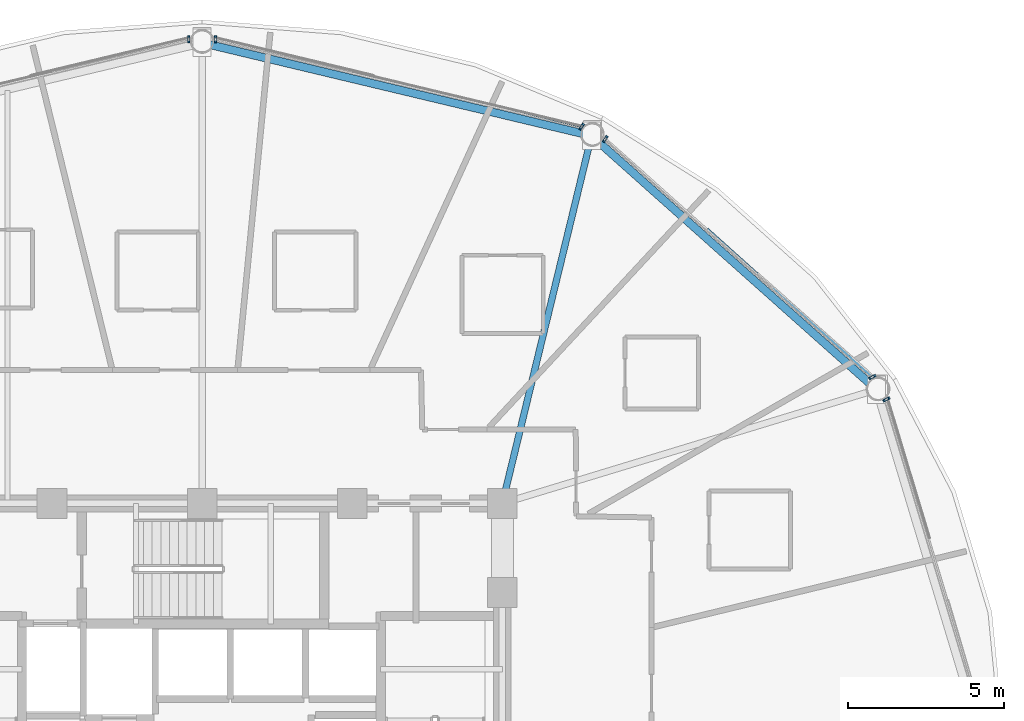
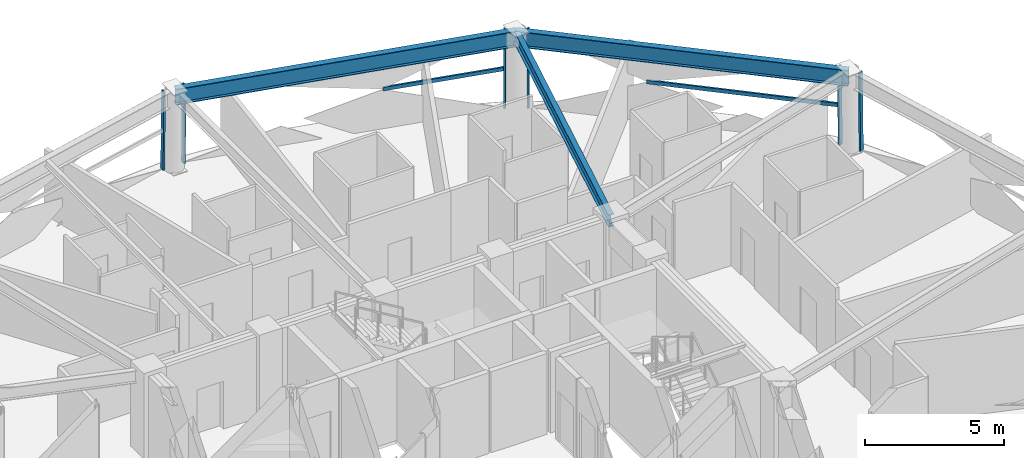
# One storey, part 7 of 18: 8 members, 3 beams, 4 elements without a shape of their own.
"""IFC4 building model written with IfcOpenShell, lengths in metres."""

from ifc_helpers import new_model, si_unit, direction, frame, origin, origin_2d, place, context, subcontext, project, spatial, hollow_rectangle, i_section, extrude, material, layer, layer_set, material_profile, profile_set, type_object, element, aggregate, save


model = new_model("IFC4")

# Units and contexts
model_context = context("Model", 3, precision=1e-05, world=origin(), true_north=direction((0.0, 1.0)))
body_context = subcontext(model_context, "Body", "Model", "MODEL_VIEW")
ifc_project = project(units=[si_unit("LENGTHUNIT", "METRE"), si_unit("AREAUNIT", "SQUARE_METRE"), si_unit("VOLUMEUNIT", "CUBIC_METRE"), si_unit("PLANEANGLEUNIT", "RADIAN"), si_unit("MASSUNIT", "GRAM", prefix="KILO")], contexts=[model_context])

# Site, building, storey
site_placement = place(None, origin())
site = spatial("IfcSite", under=ifc_project, at=site_placement, CompositionType="ELEMENT")
building_placement = place(site_placement, origin())
building = spatial("IfcBuilding", under=site, at=building_placement, Name="Vantalir Tower", CompositionType="ELEMENT")
storey_placement = place(building_placement, frame((0.0, 0.0, 138.449951171875)))
storey = spatial("IfcBuildingStorey", under=building, at=storey_placement, Name="L34", CompositionType="ELEMENT", Elevation=138.449951171875)

# Beams
ifc_material_1 = material(Name="Steel S355", Category="steel")
ifc_material_profile_1 = material_profile(ifc_material_1, i_section(OverallWidth=0.2109375, OverallDepth=0.5390625, WebThickness=0.01171875, FlangeThickness=0.018798828125, at=origin_2d()), Name="Steel S355")
ifc_profile_set_1 = profile_set([ifc_material_profile_1], Name="Steel S355")
beam_type_1 = type_object("IfcBeamType", Name="BM-RB-533x210", PredefinedType="BEAM", material=ifc_profile_set_1)
beam_1_placement = place(storey_placement, frame((43.9541015625, 44.2080078125, 3.301025390625), z_axis=(-0.23587837497, -0.971782584852, 0.0), x_axis=(0.971782584852, -0.23587837497, 0.0)))
element("IfcBeam", 1, at=beam_1_placement, inside=storey, type_object=beam_type_1, Name="L34 Radial Floor Beam 03", PredefinedType="BEAM", context=body_context, shape_type="SweptSolid", body=[
    extrude(i_section(OverallWidth=0.2109375, OverallDepth=0.5390625, WebThickness=0.01171875, FlangeThickness=0.018798828125, at=origin_2d()), origin(), (0.0, 0.0, 1.0), 12.099365234375),
])
ifc_material_2 = material(Name="Steel S460", Category="steel")
ifc_material_profile_2 = material_profile(ifc_material_2, i_section(OverallWidth=0.256103515625, OverallDepth=0.693115234375, WebThickness=0.014404296875, FlangeThickness=0.023681640625, at=origin_2d()), Name="Steel S460")
ifc_profile_set_2 = profile_set([ifc_material_profile_2], Name="Steel S460")
beam_type_2 = type_object("IfcBeamType", Name="BM-RG-686x254", PredefinedType="USERDEFINED", material=ifc_profile_set_2)
beam_2_placement = place(storey_placement, frame((53.070068359375, 36.090087890625, 3.22412109375), z_axis=(-0.746805403466, 0.665042622209, 0.0), x_axis=(-0.665042622209, -0.746805403466, 0.0)))
element("IfcBeam", 2, at=beam_2_placement, inside=storey, type_object=beam_type_2, Name="L34 Circumferential Ring Girder 02", ObjectType="GIRDER", PredefinedType="USERDEFINED", context=body_context, shape_type="SweptSolid", body=[
    extrude(i_section(OverallWidth=0.256103515625, OverallDepth=0.693115234375, WebThickness=0.014404296875, FlangeThickness=0.023681640625, at=origin_2d()), origin(), (0.0, 0.0, 1.0), 12.20654296875),
])
beam_3_placement = place(storey_placement, frame((43.9541015625, 44.2080078125, 3.22412109375), z_axis=(-0.97268885967, 0.23211286538, 0.0), x_axis=(-0.23211286538, -0.97268885967, 0.0)))
element("IfcBeam", 3, at=beam_3_placement, inside=storey, type_object=beam_type_2, Name="L34 Circumferential Ring Girder 03", ObjectType="GIRDER", PredefinedType="USERDEFINED", context=body_context, shape_type="SweptSolid", body=[
    extrude(i_section(OverallWidth=0.256103515625, OverallDepth=0.693115234375, WebThickness=0.014404296875, FlangeThickness=0.023681640625, at=origin_2d()), origin(), (0.0, 0.0, 1.0), 12.8037109375),
])

# Curtain wall, member
ifc_material_3 = material(Name="Champagne-silver PVDF aluminium and double-silver Low-E glass", Category="aluminium")
ifc_layer = layer(ifc_material_3, 0.199951171875)
ifc_layer_set = layer_set([ifc_layer], Name="Champagne-silver PVDF aluminium and double-silver Low-E glass")
curtain_wall_type = type_object("IfcCurtainWallType", Name="CW-DIAMOND-Z2", PredefinedType="USERDEFINED", material=ifc_layer_set)
curtain_wall_1_placement = place(storey_placement, origin())
curtain_wall_1 = element("IfcCurtainWall", 4, at=curtain_wall_1_placement, inside=storey, type_object=curtain_wall_type, Name="L34 Quilted Pyramid-Diamond Curtain Wall S01", ObjectType="UNITISED CURTAIN WALL", PredefinedType="USERDEFINED")
ifc_material_4 = material(Name="Champagne-silver PVDF aluminium 6063-T6", Category="aluminium")
ifc_material_profile_3 = material_profile(ifc_material_4, hollow_rectangle(XDim=0.074951171875, YDim=0.179931640625, WallThickness=0.00390625, at=origin_2d()), Name="Champagne-silver PVDF aluminium 6063-T6")
ifc_profile_set_3 = profile_set([ifc_material_profile_3], Name="Champagne-silver PVDF aluminium 6063-T6")
member_type_1 = type_object("IfcMemberType", Name="CWM-180x75", PredefinedType="MULLION", material=ifc_profile_set_3)
member_1_placement = place(storey_placement, frame((53.4150390625, 35.791015625, 0.045166015625), z_axis=(-0.015221571553, -0.007786149504, 0.999853829135), x_axis=(0.455400184888, -0.890286847934, 0.0)))
member_1 = element("IfcMember", 5, at=member_1_placement, type_object=member_type_1, Name="CW-L34-S01 Mullion 2", PredefinedType="MULLION", context=body_context, shape_type="SweptSolid", body=[
    extrude(hollow_rectangle(XDim=0.074951171875, YDim=0.179931640625, WallThickness=0.00390625, at=origin_2d()), origin(), (0.0, 0.0, 1.0), 3.48046875),
])
aggregate(curtain_wall_1, [member_1])

# Curtain wall, members
curtain_wall_2_placement = place(storey_placement, origin())
curtain_wall_2 = element("IfcCurtainWall", 6, at=curtain_wall_2_placement, inside=storey, type_object=curtain_wall_type, Name="L34 Quilted Pyramid-Diamond Curtain Wall S02", ObjectType="UNITISED CURTAIN WALL", PredefinedType="USERDEFINED")
member_2_placement = place(storey_placement, frame((52.9599609375, 36.5048828125, 0.045166015625), z_axis=(-0.015221579829, -0.007716008208, 0.999854372759), x_axis=(0.452139223219, -0.891947376714, 0.0)))
member_2 = element("IfcMember", 7, at=member_2_placement, type_object=member_type_1, Name="CW-L34-S02 Mullion 1", PredefinedType="MULLION", context=body_context, shape_type="SweptSolid", body=[
    extrude(hollow_rectangle(XDim=0.074951171875, YDim=0.179931640625, WallThickness=0.00390625, at=origin_2d()), origin(), (0.0, 0.0, 1.0), 3.48046875),
])
member_3_placement = place(storey_placement, frame((44.407958984375, 44.1279296875, 0.045166015625), z_axis=(-0.008908583987, -0.013748680799, 0.999865796449), x_axis=(0.839225358586, -0.543783778267, 0.0)))
member_3 = element("IfcMember", 8, at=member_3_placement, type_object=member_type_1, Name="CW-L34-S02 Mullion 2", PredefinedType="MULLION", context=body_context, shape_type="SweptSolid", body=[
    extrude(hollow_rectangle(XDim=0.074951171875, YDim=0.179931640625, WallThickness=0.00390625, at=origin_2d()), origin(), (0.0, 0.0, 1.0), 3.48046875),
])

curtain_wall_3_placement = place(storey_placement, origin())
curtain_wall_3 = element("IfcCurtainWall", 9, at=curtain_wall_3_placement, inside=storey, type_object=curtain_wall_type, Name="L34 Quilted Pyramid-Diamond Curtain Wall S03", ObjectType="UNITISED CURTAIN WALL", PredefinedType="USERDEFINED")
member_4_placement = place(storey_placement, frame((43.652099609375, 44.52294921875, 0.045166015625), z_axis=(-0.008908583987, -0.013748680799, 0.999865796449), x_axis=(0.839225358586, -0.543783778267, 0.0)))
member_4 = element("IfcMember", 10, at=member_4_placement, type_object=member_type_1, Name="CW-L34-S03 Mullion 1", PredefinedType="MULLION", context=body_context, shape_type="SweptSolid", body=[
    extrude(hollow_rectangle(XDim=0.074951171875, YDim=0.179931640625, WallThickness=0.00390625, at=origin_2d()), origin(), (0.0, 0.0, 1.0), 3.48046875),
])
member_5_placement = place(storey_placement, frame((31.927978515625, 47.322998046875, 0.045166015625), z_axis=(0.0, -0.015783076602, 0.999875439489), x_axis=(1.0, 0.0, 0.0)))
member_5 = element("IfcMember", 11, at=member_5_placement, type_object=member_type_1, Name="CW-L34-S03 Mullion 2", PredefinedType="MULLION", context=body_context, shape_type="SweptSolid", body=[
    extrude(hollow_rectangle(XDim=0.074951171875, YDim=0.179931640625, WallThickness=0.00390625, at=origin_2d()), origin(), (0.0, 0.0, 1.0), 3.48046875),
])

# Curtain wall, member
curtain_wall_4_placement = place(storey_placement, origin())
curtain_wall_4 = element("IfcCurtainWall", 12, at=curtain_wall_4_placement, inside=storey, type_object=curtain_wall_type, Name="L34 Quilted Pyramid-Diamond Curtain Wall S04", ObjectType="UNITISED CURTAIN WALL", PredefinedType="USERDEFINED")
member_6_placement = place(storey_placement, frame((31.072021484375, 47.322998046875, 0.045166015625), z_axis=(0.0, -0.015783076602, 0.999875439489), x_axis=(1.0, 0.0, 0.0)))
member_6 = element("IfcMember", 13, at=member_6_placement, type_object=member_type_1, Name="CW-L34-S04 Mullion 1", PredefinedType="MULLION", context=body_context, shape_type="SweptSolid", body=[
    extrude(hollow_rectangle(XDim=0.074951171875, YDim=0.179931640625, WallThickness=0.00390625, at=origin_2d()), origin(), (0.0, 0.0, 1.0), 3.48046875),
])
aggregate(curtain_wall_4, [member_6])

# Member
ifc_material_profile_4 = material_profile(ifc_material_4, hollow_rectangle(XDim=0.074951171875, YDim=0.159912109375, WallThickness=0.00390625, at=origin_2d()), Name="Champagne-silver PVDF aluminium 6063-T6")
ifc_profile_set_4 = profile_set([ifc_material_profile_4], Name="Champagne-silver PVDF aluminium 6063-T6")
member_type_2 = type_object("IfcMemberType", Name="CWT-160x75", PredefinedType="USERDEFINED", material=ifc_profile_set_4)
member_7_placement = place(storey_placement, frame((52.93310546875, 36.490966796875, 1.78515625), z_axis=(-0.74421946743, 0.667935164741, 0.0), x_axis=(-0.667935164741, -0.74421946743, 0.0)))
member_7 = element("IfcMember", 14, at=member_7_placement, type_object=member_type_2, Name="CW-L34-S02 Pyramid Fold Ridge Transom", ObjectType="TRANSOM", PredefinedType="USERDEFINED", context=body_context, shape_type="SweptSolid", body=[
    extrude(hollow_rectangle(XDim=0.074951171875, YDim=0.159912109375, WallThickness=0.00390625, at=origin_2d()), origin(), (0.0, 0.0, 1.0), 7.092041015625),
])

aggregate(curtain_wall_2, [member_2, member_3, member_7])

member_8_placement = place(storey_placement, frame((43.636962890625, 44.4990234375, 1.78515625), z_axis=(-0.971429110303, 0.237329904683, 0.0), x_axis=(-0.237329904683, -0.971429110303, 0.0)))
member_8 = element("IfcMember", 15, at=member_8_placement, type_object=member_type_2, Name="CW-L34-S03 Pyramid Fold Ridge Transom", ObjectType="TRANSOM", PredefinedType="USERDEFINED", context=body_context, shape_type="SweptSolid", body=[
    extrude(hollow_rectangle(XDim=0.074951171875, YDim=0.159912109375, WallThickness=0.00390625, at=origin_2d()), origin(), (0.0, 0.0, 1.0), 4.571533203125),
])

aggregate(curtain_wall_3, [member_4, member_5, member_8])

save(model, "model.ifc")
